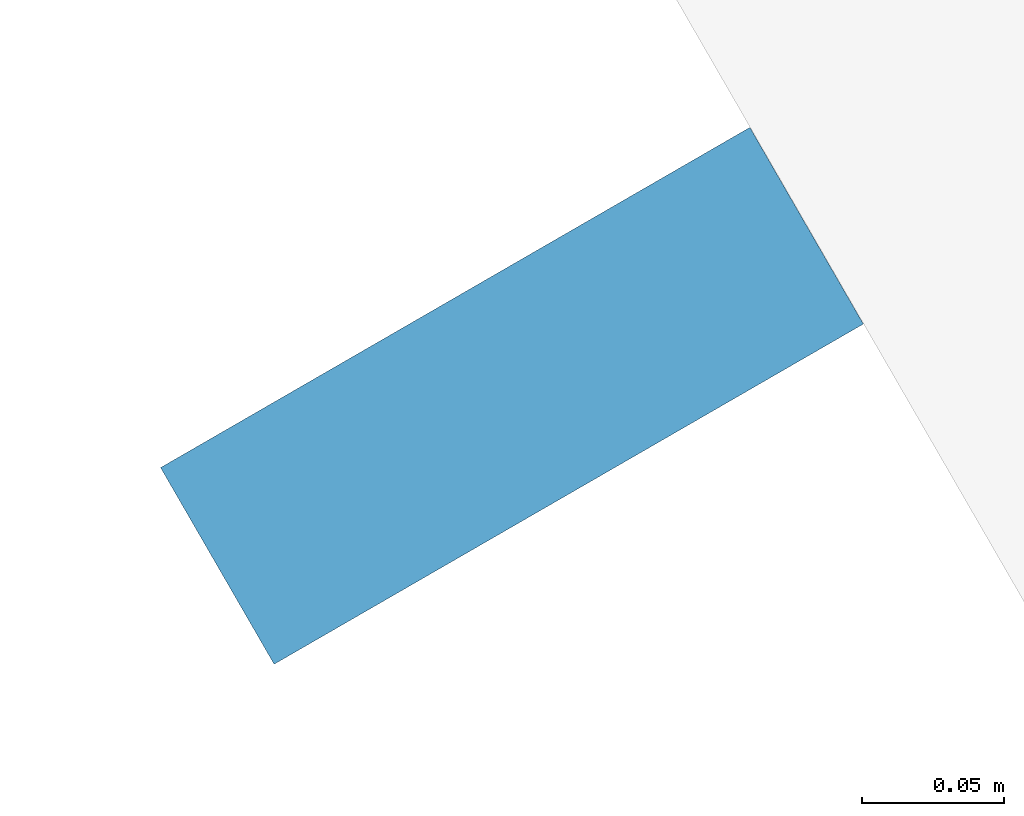
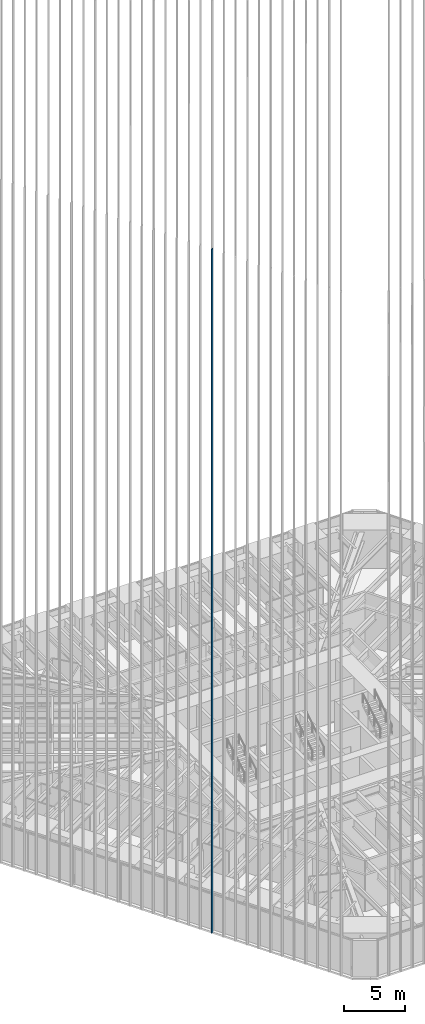
# One storey, part 11 of 256: 1 member, 1 element without a shape of its own.
"""IFC4 building model written with IfcOpenShell, lengths in metres."""

from ifc_helpers import new_model, si_unit, direction, frame, origin, origin_2d, place, context, subcontext, project, spatial, rectangle, extrude, material, material_profile, profile_set, type_object, element, aggregate, save


model = new_model("IFC4")

# Units and contexts
model_context = context("Model", 3, precision=1e-05, world=origin(), true_north=direction((0.0, 1.0)))
body_context = subcontext(model_context, "Body", "Model", "MODEL_VIEW")
ifc_project = project(units=[si_unit("LENGTHUNIT", "METRE"), si_unit("AREAUNIT", "SQUARE_METRE"), si_unit("VOLUMEUNIT", "CUBIC_METRE"), si_unit("PLANEANGLEUNIT", "RADIAN"), si_unit("MASSUNIT", "GRAM", prefix="KILO")], contexts=[model_context])

# Site, building, storey
site_placement = place(None, origin())
site = spatial("IfcSite", under=ifc_project, at=site_placement, CompositionType="ELEMENT")
building_placement = place(site_placement, origin())
building = spatial("IfcBuilding", under=site, at=building_placement, Name="Sandreach Pilgrim Tower", CompositionType="ELEMENT")
storey_placement = place(building_placement, frame((0.0, 0.0, 23.0)))
storey = spatial("IfcBuildingStorey", under=building, at=storey_placement, Name="L04", CompositionType="ELEMENT", Elevation=23.0)

# Curtain wall, member
ifc_material_1 = material(Name="Aluminium framed curtain wall", Category="aluminium")
curtain_wall_type = type_object("IfcCurtainWallType", Name="Hostel tower curtain wall", PredefinedType="NOTDEFINED", material=ifc_material_1)
curtain_wall_placement = place(storey_placement, origin())
curtain_wall = element("IfcCurtainWall", 1, at=curtain_wall_placement, inside=storey, type_object=curtain_wall_type, Name="CW-1 L04 SW", PredefinedType="NOTDEFINED")
ifc_material_2 = material(Name="Extruded terracotta on aluminium core", Category="masonry")
ifc_material_profile = material_profile(ifc_material_2, rectangle(XDim=0.080078125, YDim=0.239990234375, at=origin_2d()), Name="TBW 80X240")
ifc_profile_set = profile_set([ifc_material_profile], Name="Extruded terracotta on aluminium core")
member_type = type_object("IfcMemberType", Name="Terracotta baguette west", PredefinedType="USERDEFINED", material=ifc_profile_set)
member_placement = place(storey_placement, frame((-17.784912109375, -17.93310546875, 0.0), z_axis=(0.0, 0.0, 1.0), x_axis=(-0.5, 0.866025403784, 0.0)))
member = element("IfcMember", 2, at=member_placement, type_object=member_type, Name="Baguette Z1 SW12", ObjectType="BAGUETTE", PredefinedType="USERDEFINED", context=body_context, shape_type="SweptSolid", body=[
    extrude(rectangle(XDim=0.080078125, YDim=0.239990234375, at=origin_2d()), origin(), (0.0, 0.0, 1.0), 68.239990234375),
])
aggregate(curtain_wall, [member])

save(model, "model.ifc")
